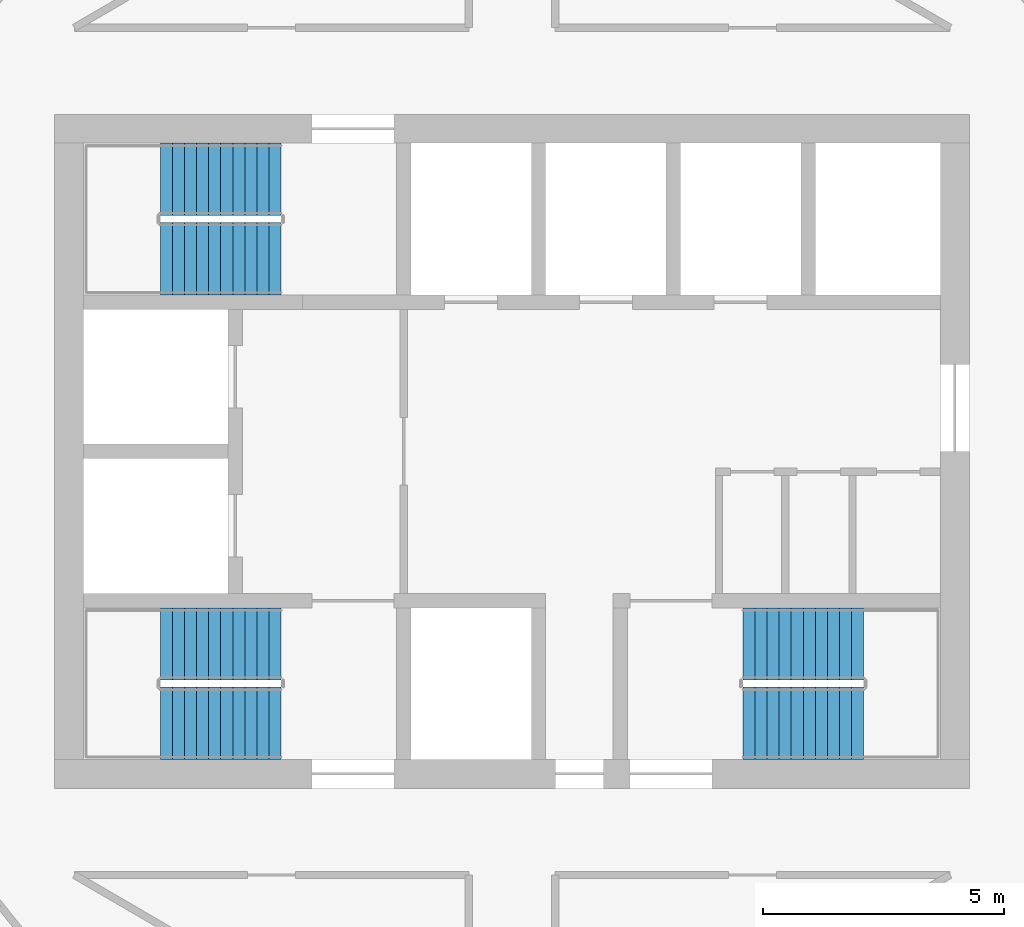
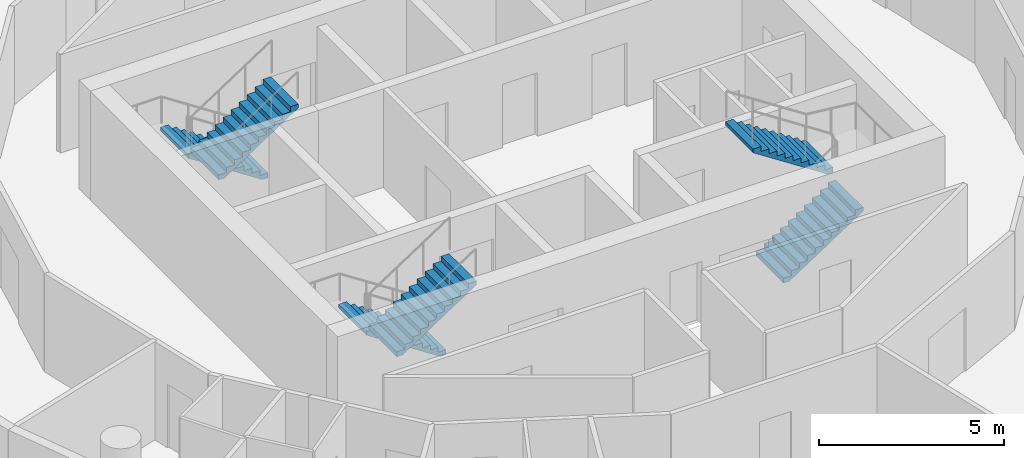
# One storey, part 12 of 13: 6 stair flights, 3 elements without a shape of their own.
"""IFC4 building model written with IfcOpenShell, lengths in metres."""

from ifc_helpers import new_model, si_unit, direction, frame, origin, place, context, subcontext, project, spatial, polyline, outline, extrude, material, type_object, element, aggregate, save


model = new_model("IFC4")

# Units and contexts
model_context = context("Model", 3, precision=1e-05, world=origin(), true_north=direction((0.0, 1.0)))
body_context = subcontext(model_context, "Body", "Model", "MODEL_VIEW")
ifc_project = project(units=[si_unit("LENGTHUNIT", "METRE"), si_unit("AREAUNIT", "SQUARE_METRE"), si_unit("VOLUMEUNIT", "CUBIC_METRE"), si_unit("PLANEANGLEUNIT", "RADIAN"), si_unit("MASSUNIT", "GRAM", prefix="KILO")], contexts=[model_context])

# Site, building, storey
site_placement = place(None, origin())
site = spatial("IfcSite", under=ifc_project, at=site_placement, CompositionType="ELEMENT")
building_placement = place(site_placement, origin())
building = spatial("IfcBuilding", under=site, at=building_placement, Name="Tracery Tower", CompositionType="ELEMENT")
storey_placement = place(building_placement, frame((0.0, 0.0, 252.60009765625)))
storey = spatial("IfcBuildingStorey", under=building, at=storey_placement, Name="L65", CompositionType="ELEMENT", Elevation=252.60009765625)

# Stair, stair flights
ifc_material_1 = material(Name="Concrete C32/40", Category="concrete")
stair_type = type_object("IfcStairType", Name="Core stair 22 risers", PredefinedType="HALF_TURN_STAIR", material=ifc_material_1)
stair_1_placement = place(storey_placement, origin())
stair_1 = element("IfcStair", 1, at=stair_1_placement, inside=storey, type_object=stair_type, Name="L65 stair ST1", PredefinedType="HALF_TURN_STAIR")
ifc_material_2 = material(Name="Concrete C32/40", Category="concrete")
stair_flight_type = type_object("IfcStairFlightType", Name="Core stair flight 11 risers", PredefinedType="STRAIGHT", material=ifc_material_2)
stair_flight_1_placement = place(storey_placement, frame((-4.800048828125, -4.0, 0.0), z_axis=(0.0, 0.0, 1.0), x_axis=(-1.0, 0.0, 0.0)))
stair_flight_1 = element("IfcStairFlight", 2, at=stair_flight_1_placement, type_object=stair_flight_type, Name="ST1 flight 1", NumberOfRisers=11, NumberOfTreads=10, PredefinedType="STRAIGHT", RiserHeight=0.163636364, TreadLength=0.25, context=body_context, shape_type="SweptSolid", body=[
    extrude(outline(polyline([(0.0, 0.0), (0.0, 0.002685546875), (0.0, 0.00537109375), (0.0, 0.008056640625), (0.0, 0.0107421875), (0.0, 0.013427734375), (0.0, 0.01611328125), (0.0, 0.018798828125), (0.0, 0.021484375), (0.0, 0.024169921875), (0.0, 0.02685546875), (0.0, 0.029541015625), (0.0, 0.0322265625), (0.0, 0.034912109375), (0.0, 0.03759765625), (0.0, 0.040283203125), (0.0, 0.04296875), (0.0, 0.045654296875), (0.0, 0.04833984375), (0.0, 0.051025390625), (0.0, 0.0537109375), (0.0, 0.056396484375), (0.0, 0.05908203125), (0.0, 0.061767578125), (0.0, 0.064453125), (0.0, 0.067138671875), (0.0, 0.06982421875), (0.0, 0.072509765625), (0.0, 0.0751953125), (0.0, 0.077880859375), (0.0, 0.08056640625), (0.0, 0.083251953125), (0.0, 0.0859375), (0.0, 0.088623046875), (0.0, 0.09130859375), (0.0, 0.093994140625), (0.0, 0.0966796875), (0.0, 0.099365234375), (0.0, 0.10205078125), (0.0, 0.104736328125), (0.0, 0.107421875), (0.0, 0.10986328125), (0.0, 0.112548828125), (0.0, 0.115234375), (0.0, 0.117919921875), (0.0, 0.12060546875), (0.0, 0.123291015625), (0.0, 0.1259765625), (0.0, 0.128662109375), (0.0, 0.13134765625), (0.0, 0.134033203125), (0.0, 0.13671875), (0.0, 0.139404296875), (0.0, 0.14208984375), (0.0, 0.144775390625), (0.0, 0.1474609375), (0.0, 0.150146484375), (0.0, 0.15283203125), (0.0, 0.155517578125), (0.0, 0.158203125), (0.0, 0.160888671875), (0.0, 0.16357421875), (0.25, 0.16357421875), (0.25, 0.327392578125), (0.5, 0.327392578125), (0.5, 0.490966796875), (0.75, 0.490966796875), (0.75, 0.654541015625), (1.0, 0.654541015625), (1.0, 0.818115234375), (1.25, 0.818115234375), (1.25, 0.98193359375), (1.5, 0.98193359375), (1.5, 1.1455078125), (1.75, 1.1455078125), (1.75, 1.30908203125), (2.0, 1.30908203125), (2.0, 1.47265625), (2.25, 1.47265625), (2.25, 1.636474609375), (2.5, 1.636474609375), (2.5, 1.634521484375), (2.5, 1.63232421875), (2.5, 1.63037109375), (2.5, 1.62841796875), (2.5, 1.62646484375), (2.5, 1.62451171875), (2.5, 1.62255859375), (2.5, 1.62060546875), (2.5, 1.61865234375), (2.5, 1.61669921875), (2.5, 1.61474609375), (2.5, 1.61279296875), (2.5, 1.61083984375), (2.5, 1.60888671875), (2.5, 1.60693359375), (2.5, 1.60498046875), (2.5, 1.60302734375), (2.5, 1.60107421875), (2.5, 1.59912109375), (2.5, 1.59716796875), (2.5, 1.59521484375), (2.5, 1.59326171875), (2.5, 1.59130859375), (2.5, 1.58935546875), (2.5, 1.58740234375), (2.5, 1.58544921875), (2.5, 1.58349609375), (2.5, 1.58154296875), (2.5, 1.57958984375), (2.5, 1.57763671875), (2.5, 1.57568359375), (2.5, 1.573486328125), (2.5, 1.571533203125), (2.5, 1.569580078125), (2.5, 1.567626953125), (2.5, 1.565673828125), (2.5, 1.563720703125), (2.5, 1.561767578125), (2.5, 1.559814453125), (2.5, 1.557861328125), (2.5, 1.555908203125), (2.5, 1.553955078125), (2.5, 1.552001953125), (2.5, 1.550048828125), (2.5, 1.548095703125), (2.5, 1.546142578125), (2.5, 1.544189453125), (2.5, 1.542236328125), (2.5, 1.540283203125), (2.5, 1.538330078125), (2.5, 1.536376953125), (2.5, 1.534423828125), (2.5, 1.532470703125), (2.5, 1.530517578125), (2.5, 1.528564453125), (2.5, 1.526611328125), (2.5, 1.524658203125), (2.5, 1.522705078125), (2.5, 1.520751953125), (2.5, 1.518798828125), (2.5, 1.516845703125), (0.182861328125, 0.0), (0.0, 0.0)])), frame((0.0, 0.75, 0.0), z_axis=(0.0, -1.0, 0.0), x_axis=(1.0, 0.0, 0.0)), (0.0, 0.0, 1.0), 1.5),
])
stair_flight_2_placement = place(storey_placement, frame((-7.300048828125, -5.64990234375, 1.7998046875), z_axis=(0.0, 0.0, 1.0), x_axis=(1.0, 0.0, 0.0)))
stair_flight_2 = element("IfcStairFlight", 3, at=stair_flight_2_placement, type_object=stair_flight_type, Name="ST1 flight 2", NumberOfRisers=11, NumberOfTreads=10, PredefinedType="STRAIGHT", RiserHeight=0.163636364, TreadLength=0.25, context=body_context, shape_type="SweptSolid", body=[
    extrude(outline(polyline([(0.0, 0.0), (0.0, 0.002685546875), (0.0, 0.00537109375), (0.0, 0.008056640625), (0.0, 0.0107421875), (0.0, 0.013427734375), (0.0, 0.01611328125), (0.0, 0.018798828125), (0.0, 0.021484375), (0.0, 0.024169921875), (0.0, 0.02685546875), (0.0, 0.029541015625), (0.0, 0.0322265625), (0.0, 0.034912109375), (0.0, 0.03759765625), (0.0, 0.040283203125), (0.0, 0.04296875), (0.0, 0.045654296875), (0.0, 0.04833984375), (0.0, 0.051025390625), (0.0, 0.0537109375), (0.0, 0.056396484375), (0.0, 0.05908203125), (0.0, 0.061767578125), (0.0, 0.064453125), (0.0, 0.067138671875), (0.0, 0.06982421875), (0.0, 0.072509765625), (0.0, 0.0751953125), (0.0, 0.077880859375), (0.0, 0.08056640625), (0.0, 0.083251953125), (0.0, 0.0859375), (0.0, 0.088623046875), (0.0, 0.09130859375), (0.0, 0.093994140625), (0.0, 0.0966796875), (0.0, 0.099365234375), (0.0, 0.10205078125), (0.0, 0.104736328125), (0.0, 0.107421875), (0.0, 0.10986328125), (0.0, 0.112548828125), (0.0, 0.115234375), (0.0, 0.117919921875), (0.0, 0.12060546875), (0.0, 0.123291015625), (0.0, 0.1259765625), (0.0, 0.128662109375), (0.0, 0.13134765625), (0.0, 0.134033203125), (0.0, 0.13671875), (0.0, 0.139404296875), (0.0, 0.14208984375), (0.0, 0.144775390625), (0.0, 0.1474609375), (0.0, 0.150146484375), (0.0, 0.15283203125), (0.0, 0.155517578125), (0.0, 0.158203125), (0.0, 0.160888671875), (0.0, 0.16357421875), (0.25, 0.16357421875), (0.25, 0.327392578125), (0.5, 0.327392578125), (0.5, 0.490966796875), (0.75, 0.490966796875), (0.75, 0.654541015625), (1.0, 0.654541015625), (1.0, 0.818115234375), (1.25, 0.818115234375), (1.25, 0.98193359375), (1.5, 0.98193359375), (1.5, 1.1455078125), (1.75, 1.1455078125), (1.75, 1.30908203125), (2.0, 1.30908203125), (2.0, 1.47265625), (2.25, 1.47265625), (2.25, 1.636474609375), (2.5, 1.636474609375), (2.5, 1.634521484375), (2.5, 1.63232421875), (2.5, 1.63037109375), (2.5, 1.62841796875), (2.5, 1.62646484375), (2.5, 1.62451171875), (2.5, 1.62255859375), (2.5, 1.62060546875), (2.5, 1.61865234375), (2.5, 1.61669921875), (2.5, 1.61474609375), (2.5, 1.61279296875), (2.5, 1.61083984375), (2.5, 1.60888671875), (2.5, 1.60693359375), (2.5, 1.60498046875), (2.5, 1.60302734375), (2.5, 1.60107421875), (2.5, 1.59912109375), (2.5, 1.59716796875), (2.5, 1.59521484375), (2.5, 1.59326171875), (2.5, 1.59130859375), (2.5, 1.58935546875), (2.5, 1.58740234375), (2.5, 1.58544921875), (2.5, 1.58349609375), (2.5, 1.58154296875), (2.5, 1.57958984375), (2.5, 1.57763671875), (2.5, 1.57568359375), (2.5, 1.573486328125), (2.5, 1.571533203125), (2.5, 1.569580078125), (2.5, 1.567626953125), (2.5, 1.565673828125), (2.5, 1.563720703125), (2.5, 1.561767578125), (2.5, 1.559814453125), (2.5, 1.557861328125), (2.5, 1.555908203125), (2.5, 1.553955078125), (2.5, 1.552001953125), (2.5, 1.550048828125), (2.5, 1.548095703125), (2.5, 1.546142578125), (2.5, 1.544189453125), (2.5, 1.542236328125), (2.5, 1.540283203125), (2.5, 1.538330078125), (2.5, 1.536376953125), (2.5, 1.534423828125), (2.5, 1.532470703125), (2.5, 1.530517578125), (2.5, 1.528564453125), (2.5, 1.526611328125), (2.5, 1.524658203125), (2.5, 1.522705078125), (2.5, 1.520751953125), (2.5, 1.518798828125), (2.5, 1.516845703125), (0.182861328125, 0.0), (0.0, 0.0)])), frame((0.0, 0.75, 0.0), z_axis=(0.0, -1.0, 0.0), x_axis=(1.0, 0.0, 0.0)), (0.0, 0.0, 1.0), 1.5),
])
aggregate(stair_1, [stair_flight_1, stair_flight_2])

stair_2_placement = place(storey_placement, origin())
stair_2 = element("IfcStair", 4, at=stair_2_placement, inside=storey, type_object=stair_type, Name="L65 stair ST3", PredefinedType="HALF_TURN_STAIR")
stair_flight_3_placement = place(storey_placement, frame((-4.800048828125, 5.64990234375, 0.0), z_axis=(0.0, 0.0, 1.0), x_axis=(-1.0, 0.0, 0.0)))
stair_flight_3 = element("IfcStairFlight", 5, at=stair_flight_3_placement, type_object=stair_flight_type, Name="ST3 flight 1", NumberOfRisers=11, NumberOfTreads=10, PredefinedType="STRAIGHT", RiserHeight=0.163636364, TreadLength=0.25, context=body_context, shape_type="SweptSolid", body=[
    extrude(outline(polyline([(0.0, 0.0), (0.0, 0.002685546875), (0.0, 0.00537109375), (0.0, 0.008056640625), (0.0, 0.0107421875), (0.0, 0.013427734375), (0.0, 0.01611328125), (0.0, 0.018798828125), (0.0, 0.021484375), (0.0, 0.024169921875), (0.0, 0.02685546875), (0.0, 0.029541015625), (0.0, 0.0322265625), (0.0, 0.034912109375), (0.0, 0.03759765625), (0.0, 0.040283203125), (0.0, 0.04296875), (0.0, 0.045654296875), (0.0, 0.04833984375), (0.0, 0.051025390625), (0.0, 0.0537109375), (0.0, 0.056396484375), (0.0, 0.05908203125), (0.0, 0.061767578125), (0.0, 0.064453125), (0.0, 0.067138671875), (0.0, 0.06982421875), (0.0, 0.072509765625), (0.0, 0.0751953125), (0.0, 0.077880859375), (0.0, 0.08056640625), (0.0, 0.083251953125), (0.0, 0.0859375), (0.0, 0.088623046875), (0.0, 0.09130859375), (0.0, 0.093994140625), (0.0, 0.0966796875), (0.0, 0.099365234375), (0.0, 0.10205078125), (0.0, 0.104736328125), (0.0, 0.107421875), (0.0, 0.10986328125), (0.0, 0.112548828125), (0.0, 0.115234375), (0.0, 0.117919921875), (0.0, 0.12060546875), (0.0, 0.123291015625), (0.0, 0.1259765625), (0.0, 0.128662109375), (0.0, 0.13134765625), (0.0, 0.134033203125), (0.0, 0.13671875), (0.0, 0.139404296875), (0.0, 0.14208984375), (0.0, 0.144775390625), (0.0, 0.1474609375), (0.0, 0.150146484375), (0.0, 0.15283203125), (0.0, 0.155517578125), (0.0, 0.158203125), (0.0, 0.160888671875), (0.0, 0.16357421875), (0.25, 0.16357421875), (0.25, 0.327392578125), (0.5, 0.327392578125), (0.5, 0.490966796875), (0.75, 0.490966796875), (0.75, 0.654541015625), (1.0, 0.654541015625), (1.0, 0.818115234375), (1.25, 0.818115234375), (1.25, 0.98193359375), (1.5, 0.98193359375), (1.5, 1.1455078125), (1.75, 1.1455078125), (1.75, 1.30908203125), (2.0, 1.30908203125), (2.0, 1.47265625), (2.25, 1.47265625), (2.25, 1.636474609375), (2.5, 1.636474609375), (2.5, 1.634521484375), (2.5, 1.63232421875), (2.5, 1.63037109375), (2.5, 1.62841796875), (2.5, 1.62646484375), (2.5, 1.62451171875), (2.5, 1.62255859375), (2.5, 1.62060546875), (2.5, 1.61865234375), (2.5, 1.61669921875), (2.5, 1.61474609375), (2.5, 1.61279296875), (2.5, 1.61083984375), (2.5, 1.60888671875), (2.5, 1.60693359375), (2.5, 1.60498046875), (2.5, 1.60302734375), (2.5, 1.60107421875), (2.5, 1.59912109375), (2.5, 1.59716796875), (2.5, 1.59521484375), (2.5, 1.59326171875), (2.5, 1.59130859375), (2.5, 1.58935546875), (2.5, 1.58740234375), (2.5, 1.58544921875), (2.5, 1.58349609375), (2.5, 1.58154296875), (2.5, 1.57958984375), (2.5, 1.57763671875), (2.5, 1.57568359375), (2.5, 1.573486328125), (2.5, 1.571533203125), (2.5, 1.569580078125), (2.5, 1.567626953125), (2.5, 1.565673828125), (2.5, 1.563720703125), (2.5, 1.561767578125), (2.5, 1.559814453125), (2.5, 1.557861328125), (2.5, 1.555908203125), (2.5, 1.553955078125), (2.5, 1.552001953125), (2.5, 1.550048828125), (2.5, 1.548095703125), (2.5, 1.546142578125), (2.5, 1.544189453125), (2.5, 1.542236328125), (2.5, 1.540283203125), (2.5, 1.538330078125), (2.5, 1.536376953125), (2.5, 1.534423828125), (2.5, 1.532470703125), (2.5, 1.530517578125), (2.5, 1.528564453125), (2.5, 1.526611328125), (2.5, 1.524658203125), (2.5, 1.522705078125), (2.5, 1.520751953125), (2.5, 1.518798828125), (2.5, 1.516845703125), (0.182861328125, 0.0), (0.0, 0.0)])), frame((0.0, 0.75, 0.0), z_axis=(0.0, -1.0, 0.0), x_axis=(1.0, 0.0, 0.0)), (0.0, 0.0, 1.0), 1.5),
])
stair_flight_4_placement = place(storey_placement, frame((-7.300048828125, 4.0, 1.7998046875), z_axis=(0.0, 0.0, 1.0), x_axis=(1.0, 0.0, 0.0)))
stair_flight_4 = element("IfcStairFlight", 6, at=stair_flight_4_placement, type_object=stair_flight_type, Name="ST3 flight 2", NumberOfRisers=11, NumberOfTreads=10, PredefinedType="STRAIGHT", RiserHeight=0.163636364, TreadLength=0.25, context=body_context, shape_type="SweptSolid", body=[
    extrude(outline(polyline([(0.0, 0.0), (0.0, 0.002685546875), (0.0, 0.00537109375), (0.0, 0.008056640625), (0.0, 0.0107421875), (0.0, 0.013427734375), (0.0, 0.01611328125), (0.0, 0.018798828125), (0.0, 0.021484375), (0.0, 0.024169921875), (0.0, 0.02685546875), (0.0, 0.029541015625), (0.0, 0.0322265625), (0.0, 0.034912109375), (0.0, 0.03759765625), (0.0, 0.040283203125), (0.0, 0.04296875), (0.0, 0.045654296875), (0.0, 0.04833984375), (0.0, 0.051025390625), (0.0, 0.0537109375), (0.0, 0.056396484375), (0.0, 0.05908203125), (0.0, 0.061767578125), (0.0, 0.064453125), (0.0, 0.067138671875), (0.0, 0.06982421875), (0.0, 0.072509765625), (0.0, 0.0751953125), (0.0, 0.077880859375), (0.0, 0.08056640625), (0.0, 0.083251953125), (0.0, 0.0859375), (0.0, 0.088623046875), (0.0, 0.09130859375), (0.0, 0.093994140625), (0.0, 0.0966796875), (0.0, 0.099365234375), (0.0, 0.10205078125), (0.0, 0.104736328125), (0.0, 0.107421875), (0.0, 0.10986328125), (0.0, 0.112548828125), (0.0, 0.115234375), (0.0, 0.117919921875), (0.0, 0.12060546875), (0.0, 0.123291015625), (0.0, 0.1259765625), (0.0, 0.128662109375), (0.0, 0.13134765625), (0.0, 0.134033203125), (0.0, 0.13671875), (0.0, 0.139404296875), (0.0, 0.14208984375), (0.0, 0.144775390625), (0.0, 0.1474609375), (0.0, 0.150146484375), (0.0, 0.15283203125), (0.0, 0.155517578125), (0.0, 0.158203125), (0.0, 0.160888671875), (0.0, 0.16357421875), (0.25, 0.16357421875), (0.25, 0.327392578125), (0.5, 0.327392578125), (0.5, 0.490966796875), (0.75, 0.490966796875), (0.75, 0.654541015625), (1.0, 0.654541015625), (1.0, 0.818115234375), (1.25, 0.818115234375), (1.25, 0.98193359375), (1.5, 0.98193359375), (1.5, 1.1455078125), (1.75, 1.1455078125), (1.75, 1.30908203125), (2.0, 1.30908203125), (2.0, 1.47265625), (2.25, 1.47265625), (2.25, 1.636474609375), (2.5, 1.636474609375), (2.5, 1.634521484375), (2.5, 1.63232421875), (2.5, 1.63037109375), (2.5, 1.62841796875), (2.5, 1.62646484375), (2.5, 1.62451171875), (2.5, 1.62255859375), (2.5, 1.62060546875), (2.5, 1.61865234375), (2.5, 1.61669921875), (2.5, 1.61474609375), (2.5, 1.61279296875), (2.5, 1.61083984375), (2.5, 1.60888671875), (2.5, 1.60693359375), (2.5, 1.60498046875), (2.5, 1.60302734375), (2.5, 1.60107421875), (2.5, 1.59912109375), (2.5, 1.59716796875), (2.5, 1.59521484375), (2.5, 1.59326171875), (2.5, 1.59130859375), (2.5, 1.58935546875), (2.5, 1.58740234375), (2.5, 1.58544921875), (2.5, 1.58349609375), (2.5, 1.58154296875), (2.5, 1.57958984375), (2.5, 1.57763671875), (2.5, 1.57568359375), (2.5, 1.573486328125), (2.5, 1.571533203125), (2.5, 1.569580078125), (2.5, 1.567626953125), (2.5, 1.565673828125), (2.5, 1.563720703125), (2.5, 1.561767578125), (2.5, 1.559814453125), (2.5, 1.557861328125), (2.5, 1.555908203125), (2.5, 1.553955078125), (2.5, 1.552001953125), (2.5, 1.550048828125), (2.5, 1.548095703125), (2.5, 1.546142578125), (2.5, 1.544189453125), (2.5, 1.542236328125), (2.5, 1.540283203125), (2.5, 1.538330078125), (2.5, 1.536376953125), (2.5, 1.534423828125), (2.5, 1.532470703125), (2.5, 1.530517578125), (2.5, 1.528564453125), (2.5, 1.526611328125), (2.5, 1.524658203125), (2.5, 1.522705078125), (2.5, 1.520751953125), (2.5, 1.518798828125), (2.5, 1.516845703125), (0.182861328125, 0.0), (0.0, 0.0)])), frame((0.0, 0.75, 0.0), z_axis=(0.0, -1.0, 0.0), x_axis=(1.0, 0.0, 0.0)), (0.0, 0.0, 1.0), 1.5),
])
aggregate(stair_2, [stair_flight_3, stair_flight_4])

stair_3_placement = place(storey_placement, origin())
stair_3 = element("IfcStair", 7, at=stair_3_placement, inside=storey, type_object=stair_type, Name="L65 stair ST2", PredefinedType="HALF_TURN_STAIR")
stair_flight_5_placement = place(storey_placement, frame((4.800048828125, -5.64990234375, 0.0), z_axis=(0.0, 0.0, 1.0), x_axis=(1.0, 0.0, 0.0)))
stair_flight_5 = element("IfcStairFlight", 8, at=stair_flight_5_placement, type_object=stair_flight_type, Name="ST2 flight 1", NumberOfRisers=11, NumberOfTreads=10, PredefinedType="STRAIGHT", RiserHeight=0.163636364, TreadLength=0.25, context=body_context, shape_type="SweptSolid", body=[
    extrude(outline(polyline([(0.0, 0.0), (0.0, 0.002685546875), (0.0, 0.00537109375), (0.0, 0.008056640625), (0.0, 0.0107421875), (0.0, 0.013427734375), (0.0, 0.01611328125), (0.0, 0.018798828125), (0.0, 0.021484375), (0.0, 0.024169921875), (0.0, 0.02685546875), (0.0, 0.029541015625), (0.0, 0.0322265625), (0.0, 0.034912109375), (0.0, 0.03759765625), (0.0, 0.040283203125), (0.0, 0.04296875), (0.0, 0.045654296875), (0.0, 0.04833984375), (0.0, 0.051025390625), (0.0, 0.0537109375), (0.0, 0.056396484375), (0.0, 0.05908203125), (0.0, 0.061767578125), (0.0, 0.064453125), (0.0, 0.067138671875), (0.0, 0.06982421875), (0.0, 0.072509765625), (0.0, 0.0751953125), (0.0, 0.077880859375), (0.0, 0.08056640625), (0.0, 0.083251953125), (0.0, 0.0859375), (0.0, 0.088623046875), (0.0, 0.09130859375), (0.0, 0.093994140625), (0.0, 0.0966796875), (0.0, 0.099365234375), (0.0, 0.10205078125), (0.0, 0.104736328125), (0.0, 0.107421875), (0.0, 0.10986328125), (0.0, 0.112548828125), (0.0, 0.115234375), (0.0, 0.117919921875), (0.0, 0.12060546875), (0.0, 0.123291015625), (0.0, 0.1259765625), (0.0, 0.128662109375), (0.0, 0.13134765625), (0.0, 0.134033203125), (0.0, 0.13671875), (0.0, 0.139404296875), (0.0, 0.14208984375), (0.0, 0.144775390625), (0.0, 0.1474609375), (0.0, 0.150146484375), (0.0, 0.15283203125), (0.0, 0.155517578125), (0.0, 0.158203125), (0.0, 0.160888671875), (0.0, 0.16357421875), (0.25, 0.16357421875), (0.25, 0.327392578125), (0.5, 0.327392578125), (0.5, 0.490966796875), (0.75, 0.490966796875), (0.75, 0.654541015625), (1.0, 0.654541015625), (1.0, 0.818115234375), (1.25, 0.818115234375), (1.25, 0.98193359375), (1.5, 0.98193359375), (1.5, 1.1455078125), (1.75, 1.1455078125), (1.75, 1.30908203125), (2.0, 1.30908203125), (2.0, 1.47265625), (2.25, 1.47265625), (2.25, 1.636474609375), (2.5, 1.636474609375), (2.5, 1.634521484375), (2.5, 1.63232421875), (2.5, 1.63037109375), (2.5, 1.62841796875), (2.5, 1.62646484375), (2.5, 1.62451171875), (2.5, 1.62255859375), (2.5, 1.62060546875), (2.5, 1.61865234375), (2.5, 1.61669921875), (2.5, 1.61474609375), (2.5, 1.61279296875), (2.5, 1.61083984375), (2.5, 1.60888671875), (2.5, 1.60693359375), (2.5, 1.60498046875), (2.5, 1.60302734375), (2.5, 1.60107421875), (2.5, 1.59912109375), (2.5, 1.59716796875), (2.5, 1.59521484375), (2.5, 1.59326171875), (2.5, 1.59130859375), (2.5, 1.58935546875), (2.5, 1.58740234375), (2.5, 1.58544921875), (2.5, 1.58349609375), (2.5, 1.58154296875), (2.5, 1.57958984375), (2.5, 1.57763671875), (2.5, 1.57568359375), (2.5, 1.573486328125), (2.5, 1.571533203125), (2.5, 1.569580078125), (2.5, 1.567626953125), (2.5, 1.565673828125), (2.5, 1.563720703125), (2.5, 1.561767578125), (2.5, 1.559814453125), (2.5, 1.557861328125), (2.5, 1.555908203125), (2.5, 1.553955078125), (2.5, 1.552001953125), (2.5, 1.550048828125), (2.5, 1.548095703125), (2.5, 1.546142578125), (2.5, 1.544189453125), (2.5, 1.542236328125), (2.5, 1.540283203125), (2.5, 1.538330078125), (2.5, 1.536376953125), (2.5, 1.534423828125), (2.5, 1.532470703125), (2.5, 1.530517578125), (2.5, 1.528564453125), (2.5, 1.526611328125), (2.5, 1.524658203125), (2.5, 1.522705078125), (2.5, 1.520751953125), (2.5, 1.518798828125), (2.5, 1.516845703125), (0.182861328125, 0.0), (0.0, 0.0)])), frame((0.0, 0.75, 0.0), z_axis=(0.0, -1.0, 0.0), x_axis=(1.0, 0.0, 0.0)), (0.0, 0.0, 1.0), 1.5),
])
stair_flight_6_placement = place(storey_placement, frame((7.300048828125, -4.0, 1.7998046875), z_axis=(0.0, 0.0, 1.0), x_axis=(-1.0, 0.0, 0.0)))
stair_flight_6 = element("IfcStairFlight", 9, at=stair_flight_6_placement, type_object=stair_flight_type, Name="ST2 flight 2", NumberOfRisers=11, NumberOfTreads=10, PredefinedType="STRAIGHT", RiserHeight=0.163636364, TreadLength=0.25, context=body_context, shape_type="SweptSolid", body=[
    extrude(outline(polyline([(0.0, 0.0), (0.0, 0.002685546875), (0.0, 0.00537109375), (0.0, 0.008056640625), (0.0, 0.0107421875), (0.0, 0.013427734375), (0.0, 0.01611328125), (0.0, 0.018798828125), (0.0, 0.021484375), (0.0, 0.024169921875), (0.0, 0.02685546875), (0.0, 0.029541015625), (0.0, 0.0322265625), (0.0, 0.034912109375), (0.0, 0.03759765625), (0.0, 0.040283203125), (0.0, 0.04296875), (0.0, 0.045654296875), (0.0, 0.04833984375), (0.0, 0.051025390625), (0.0, 0.0537109375), (0.0, 0.056396484375), (0.0, 0.05908203125), (0.0, 0.061767578125), (0.0, 0.064453125), (0.0, 0.067138671875), (0.0, 0.06982421875), (0.0, 0.072509765625), (0.0, 0.0751953125), (0.0, 0.077880859375), (0.0, 0.08056640625), (0.0, 0.083251953125), (0.0, 0.0859375), (0.0, 0.088623046875), (0.0, 0.09130859375), (0.0, 0.093994140625), (0.0, 0.0966796875), (0.0, 0.099365234375), (0.0, 0.10205078125), (0.0, 0.104736328125), (0.0, 0.107421875), (0.0, 0.10986328125), (0.0, 0.112548828125), (0.0, 0.115234375), (0.0, 0.117919921875), (0.0, 0.12060546875), (0.0, 0.123291015625), (0.0, 0.1259765625), (0.0, 0.128662109375), (0.0, 0.13134765625), (0.0, 0.134033203125), (0.0, 0.13671875), (0.0, 0.139404296875), (0.0, 0.14208984375), (0.0, 0.144775390625), (0.0, 0.1474609375), (0.0, 0.150146484375), (0.0, 0.15283203125), (0.0, 0.155517578125), (0.0, 0.158203125), (0.0, 0.160888671875), (0.0, 0.16357421875), (0.25, 0.16357421875), (0.25, 0.327392578125), (0.5, 0.327392578125), (0.5, 0.490966796875), (0.75, 0.490966796875), (0.75, 0.654541015625), (1.0, 0.654541015625), (1.0, 0.818115234375), (1.25, 0.818115234375), (1.25, 0.98193359375), (1.5, 0.98193359375), (1.5, 1.1455078125), (1.75, 1.1455078125), (1.75, 1.30908203125), (2.0, 1.30908203125), (2.0, 1.47265625), (2.25, 1.47265625), (2.25, 1.636474609375), (2.5, 1.636474609375), (2.5, 1.634521484375), (2.5, 1.63232421875), (2.5, 1.63037109375), (2.5, 1.62841796875), (2.5, 1.62646484375), (2.5, 1.62451171875), (2.5, 1.62255859375), (2.5, 1.62060546875), (2.5, 1.61865234375), (2.5, 1.61669921875), (2.5, 1.61474609375), (2.5, 1.61279296875), (2.5, 1.61083984375), (2.5, 1.60888671875), (2.5, 1.60693359375), (2.5, 1.60498046875), (2.5, 1.60302734375), (2.5, 1.60107421875), (2.5, 1.59912109375), (2.5, 1.59716796875), (2.5, 1.59521484375), (2.5, 1.59326171875), (2.5, 1.59130859375), (2.5, 1.58935546875), (2.5, 1.58740234375), (2.5, 1.58544921875), (2.5, 1.58349609375), (2.5, 1.58154296875), (2.5, 1.57958984375), (2.5, 1.57763671875), (2.5, 1.57568359375), (2.5, 1.573486328125), (2.5, 1.571533203125), (2.5, 1.569580078125), (2.5, 1.567626953125), (2.5, 1.565673828125), (2.5, 1.563720703125), (2.5, 1.561767578125), (2.5, 1.559814453125), (2.5, 1.557861328125), (2.5, 1.555908203125), (2.5, 1.553955078125), (2.5, 1.552001953125), (2.5, 1.550048828125), (2.5, 1.548095703125), (2.5, 1.546142578125), (2.5, 1.544189453125), (2.5, 1.542236328125), (2.5, 1.540283203125), (2.5, 1.538330078125), (2.5, 1.536376953125), (2.5, 1.534423828125), (2.5, 1.532470703125), (2.5, 1.530517578125), (2.5, 1.528564453125), (2.5, 1.526611328125), (2.5, 1.524658203125), (2.5, 1.522705078125), (2.5, 1.520751953125), (2.5, 1.518798828125), (2.5, 1.516845703125), (0.182861328125, 0.0), (0.0, 0.0)])), frame((0.0, 0.75, 0.0), z_axis=(0.0, -1.0, 0.0), x_axis=(1.0, 0.0, 0.0)), (0.0, 0.0, 1.0), 1.5),
])
aggregate(stair_3, [stair_flight_5, stair_flight_6])

save(model, "model.ifc")
